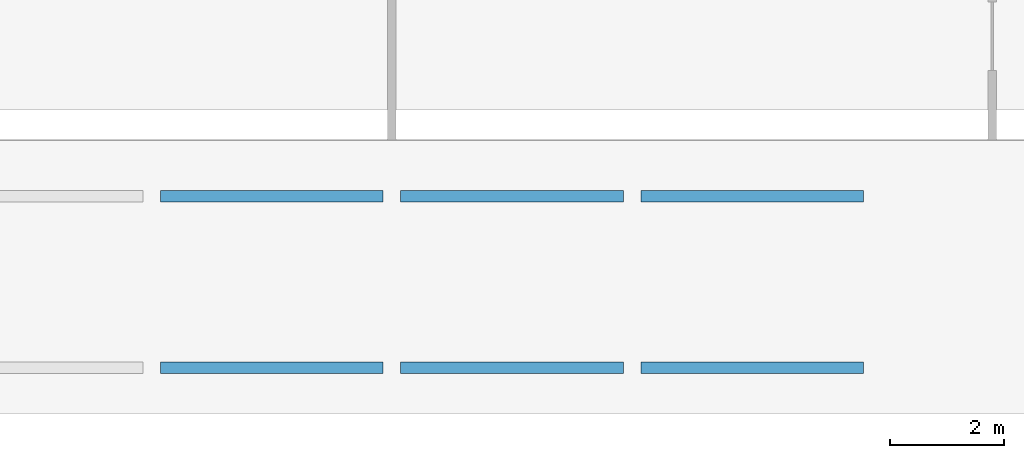
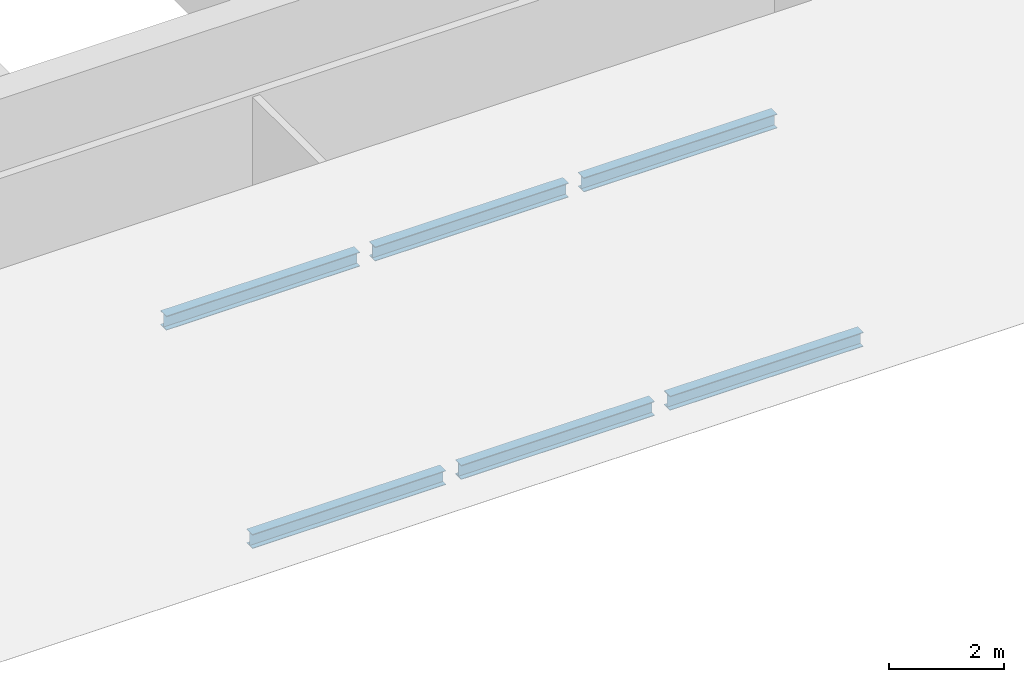
# One storey, part 5 of 23: 6 members.
"""IFC4 building model written with IfcOpenShell, lengths in metres."""

from ifc_helpers import new_model, si_unit, direction, frame, origin, origin_2d, place, context, subcontext, project, spatial, i_section, extrude, material, material_profile, profile_set, type_object, element, save


model = new_model("IFC4")

# Units and contexts
model_context = context("Model", 3, precision=1e-05, world=origin(), true_north=direction((0.0, 1.0)))
body_context = subcontext(model_context, "Body", "Model", "MODEL_VIEW")
ifc_project = project(units=[si_unit("LENGTHUNIT", "METRE"), si_unit("AREAUNIT", "SQUARE_METRE"), si_unit("VOLUMEUNIT", "CUBIC_METRE"), si_unit("PLANEANGLEUNIT", "RADIAN"), si_unit("MASSUNIT", "GRAM", prefix="KILO")], contexts=[model_context])

# Site, building, storey
site_placement = place(None, origin())
site = spatial("IfcSite", under=ifc_project, at=site_placement, CompositionType="ELEMENT")
building_placement = place(site_placement, origin())
building = spatial("IfcBuilding", under=site, at=building_placement, Name="Ostrander Bayou Hotel Tower", CompositionType="ELEMENT")
storey_placement = place(building_placement, frame((0.0, 0.0, 279.5)))
storey = spatial("IfcBuildingStorey", under=building, at=storey_placement, Name="L69", CompositionType="ELEMENT", Elevation=279.5)

# Members
ifc_material = material(Name="Steel ASTM A992", Category="steel")
ifc_material_profile = material_profile(ifc_material, i_section(OverallWidth=0.203369140625, OverallDepth=0.30322265625, WebThickness=0.007568359375, FlangeThickness=0.01318359375, at=origin_2d()))
ifc_profile_set = profile_set([ifc_material_profile], Name="Steel ASTM A992")
member_type = type_object("IfcMemberType", Name="CP3 crown purlin W12x40", PredefinedType="PURLIN", material=ifc_profile_set)
for number, where, z_axis, x_axis, name in (
    (1, (-4.046142578125, -10.56591796875, 0.25830078125), (1.0, 0.0, 0.0), (0.0, 1.0, 0.0), "CP3 P2-13"),
    (2, (-4.046142578125, -7.56591796875, 3.083984375), (1.0, 0.0, 0.0), (0.0, 1.0, 0.0), "CP3 P2-14"),
    (3, (0.15380859375, -10.56591796875, 0.25830078125), (1.0, 0.0, 0.0), (0.0, 1.0, 0.0), "CP3 P3-24"),
    (4, (0.15380859375, -7.56591796875, 3.083984375), (1.0, 0.0, 0.0), (0.0, 1.0, 0.0), "CP3 P3-25"),
):
    element("IfcMember", number, at=place(storey_placement, frame(where, z_axis=z_axis, x_axis=x_axis)), inside=storey, type_object=member_type, Name=name, PredefinedType="PURLIN", context=body_context, shape_type="SweptSolid", body=[
        extrude(i_section(OverallWidth=0.203369140625, OverallDepth=0.30322265625, WebThickness=0.007568359375, FlangeThickness=0.01318359375, at=origin_2d()), origin(), (0.0, 0.0, 1.0), 3.892333984375),
    ])
for number, where, z_axis, x_axis, name in (
    (5, (4.35400390625, -10.56591796875, 0.25830078125), (1.0, 0.0, 0.0), (0.0, 1.0, 0.0), "CP3 P4-35"),
    (6, (4.35400390625, -7.56591796875, 3.083984375), (1.0, 0.0, 0.0), (0.0, 1.0, 0.0), "CP3 P4-36"),
):
    element("IfcMember", number, at=place(storey_placement, frame(where, z_axis=z_axis, x_axis=x_axis)), inside=storey, type_object=member_type, Name=name, PredefinedType="PURLIN", context=body_context, shape_type="SweptSolid", body=[
        extrude(i_section(OverallWidth=0.203369140625, OverallDepth=0.30322265625, WebThickness=0.007568359375, FlangeThickness=0.01318359375, at=origin_2d()), origin(), (0.0, 0.0, 1.0), 3.89208984375),
    ])

save(model, "model.ifc")
